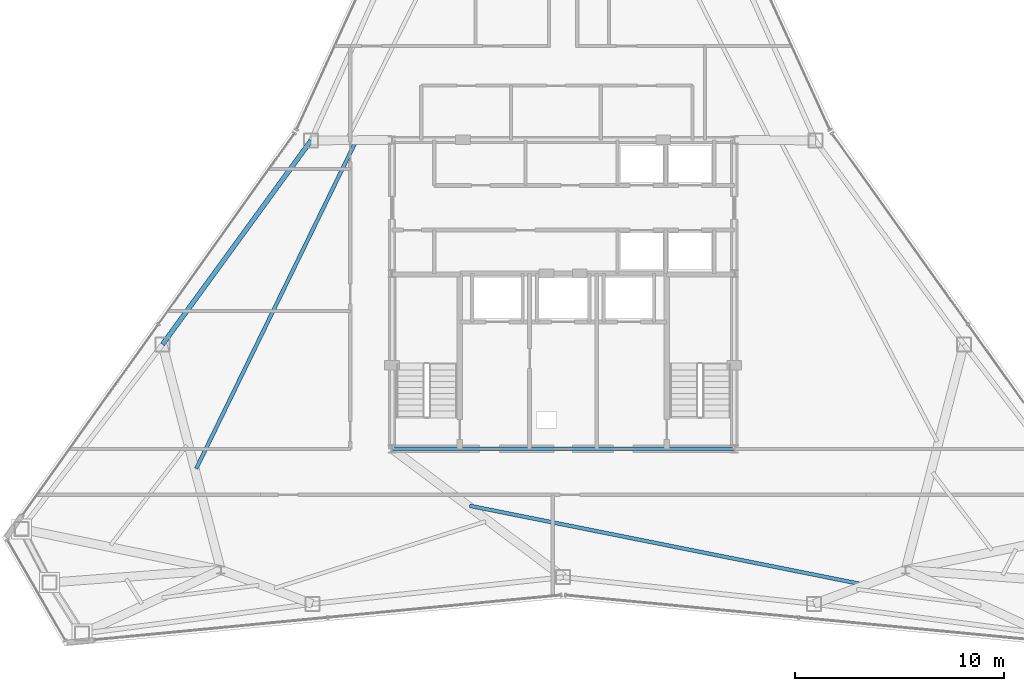
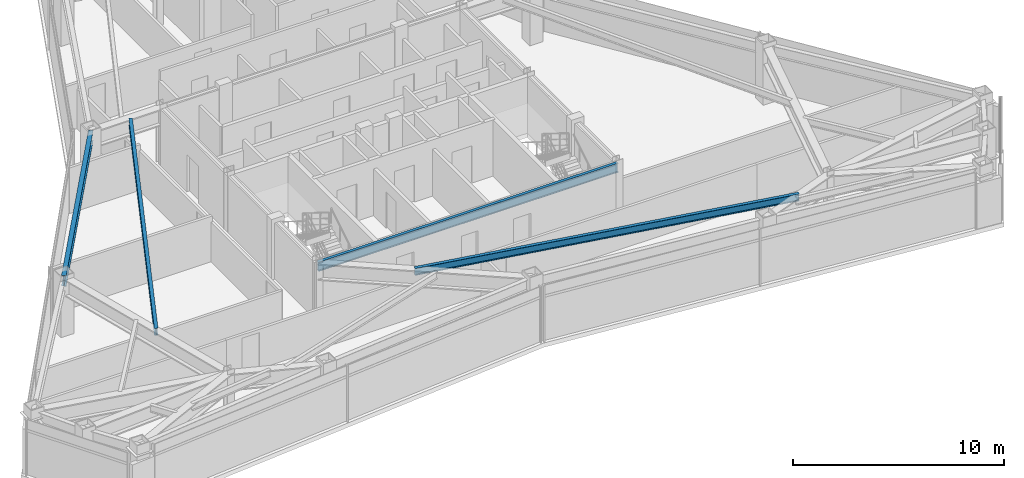
# One storey, part 4 of 12: 4 beams.
"""IFC4 building model written with IfcOpenShell, lengths in metres."""

from ifc_helpers import new_model, si_unit, direction, frame, origin, origin_2d, place, context, subcontext, project, spatial, i_section, extrude, material, material_profile, profile_set, type_object, element, save


model = new_model("IFC4")

# Units and contexts
model_context = context("Model", 3, precision=1e-05, world=origin(), true_north=direction((0.0, 1.0)))
body_context = subcontext(model_context, "Body", "Model", "MODEL_VIEW")
ifc_project = project(units=[si_unit("LENGTHUNIT", "METRE"), si_unit("AREAUNIT", "SQUARE_METRE"), si_unit("VOLUMEUNIT", "CUBIC_METRE"), si_unit("PLANEANGLEUNIT", "RADIAN"), si_unit("MASSUNIT", "GRAM", prefix="KILO")], contexts=[model_context])

# Site, building, storey
site_placement = place(None, origin())
site = spatial("IfcSite", under=ifc_project, at=site_placement, CompositionType="ELEMENT")
building_placement = place(site_placement, origin())
building = spatial("IfcBuilding", under=site, at=building_placement, Name="Varakhsha Concourse Tower", CompositionType="ELEMENT")
storey_placement = place(building_placement, frame((0.0, 0.0, 243.39990234375)))
storey = spatial("IfcBuildingStorey", under=building, at=storey_placement, Name="L69", CompositionType="ELEMENT", Elevation=243.39990234375)

# Beams
ifc_material = material(Name="Structural Steel ASTM A992 Grade 50", Category="steel")
ifc_material_profile_1 = material_profile(ifc_material, i_section(OverallWidth=0.177978515625, OverallDepth=0.406982421875, WebThickness=0.008056640625, FlangeThickness=0.012939453125, at=origin_2d()), Name="W16X40")
ifc_profile_set_1 = profile_set([ifc_material_profile_1], Name="Structural Steel ASTM A992 Grade 50")
beam_type_1 = type_object("IfcBeamType", Name="BM-JST-W16X40", PredefinedType="JOIST", material=ifc_profile_set_1)
beam_1_placement = place(storey_placement, frame((30.044921875, 31.089599609375, 3.046630859375), z_axis=(-0.438407596581, -0.898776267633, 0.0), x_axis=(0.898776267633, -0.438407596581, 0.0)))
element("IfcBeam", 1, at=beam_1_placement, inside=storey, type_object=beam_type_1, Name="BM-TJST-L69-05", PredefinedType="JOIST", context=body_context, shape_type="SweptSolid", body=[
    extrude(i_section(OverallWidth=0.177978515625, OverallDepth=0.406982421875, WebThickness=0.008056640625, FlangeThickness=0.012939453125, at=origin_2d()), origin(), (0.0, 0.0, 1.0), 17.39794921875),
])
beam_2_placement = place(storey_placement, frame((35.515869140625, 13.67333984375, 3.046630859375), z_axis=(0.980600699226, -0.196015990871, 0.0), x_axis=(0.196015990871, 0.980600699226, 0.0)))
element("IfcBeam", 2, at=beam_2_placement, inside=storey, type_object=beam_type_1, Name="BM-TJST-L69-11", PredefinedType="JOIST", context=body_context, shape_type="SweptSolid", body=[
    extrude(i_section(OverallWidth=0.177978515625, OverallDepth=0.406982421875, WebThickness=0.008056640625, FlangeThickness=0.012939453125, at=origin_2d()), origin(), (0.0, 0.0, 1.0), 19.221923828125),
])
ifc_material_profile_2 = material_profile(ifc_material, i_section(OverallWidth=0.1669921875, OverallDepth=0.534912109375, WebThickness=0.010009765625, FlangeThickness=0.01708984375, at=origin_2d()), Name="W21X57")
ifc_profile_set_2 = profile_set([ifc_material_profile_2], Name="Structural Steel ASTM A992 Grade 50")
beam_type_2 = type_object("IfcBeamType", Name="BM-RAD-W21X57", PredefinedType="BEAM", material=ifc_profile_set_2)
beam_3_placement = place(storey_placement, frame((31.800048828125, 16.39990234375, 2.982666015625), z_axis=(1.0, 0.0, 0.0), x_axis=(0.0, 1.0, 0.0)))
element("IfcBeam", 3, at=beam_3_placement, inside=storey, type_object=beam_type_2, Name="BM-TCORE-L69-CS", PredefinedType="BEAM", context=body_context, shape_type="SweptSolid", body=[
    extrude(i_section(OverallWidth=0.1669921875, OverallDepth=0.534912109375, WebThickness=0.010009765625, FlangeThickness=0.01708984375, at=origin_2d()), origin(), (0.0, 0.0, 1.0), 16.39990234375),
])
ifc_material_profile_3 = material_profile(ifc_material, i_section(OverallWidth=0.22900390625, OverallDepth=0.612060546875, WebThickness=0.011962890625, FlangeThickness=0.02001953125, at=origin_2d()), Name="W24X84")
ifc_profile_set_3 = profile_set([ifc_material_profile_3], Name="Structural Steel ASTM A992 Grade 50")
beam_type_3 = type_object("IfcBeamType", Name="BM-SPAN-W24X84", PredefinedType="SPANDREL", material=ifc_profile_set_3)
beam_4_placement = place(storey_placement, frame((27.9208984375, 31.173828125, 2.944091796875), z_axis=(-0.588854814451, -0.808238830729, 0.0), x_axis=(0.808238830729, -0.588854814451, 0.0)))
element("IfcBeam", 4, at=beam_4_placement, inside=storey, type_object=beam_type_3, Name="BM-SPAN-L69-05", PredefinedType="SPANDREL", context=body_context, shape_type="SweptSolid", body=[
    extrude(i_section(OverallWidth=0.22900390625, OverallDepth=0.612060546875, WebThickness=0.011962890625, FlangeThickness=0.02001953125, at=origin_2d()), origin(), (0.0, 0.0, 1.0), 12.087646484375),
])

save(model, "model.ifc")
